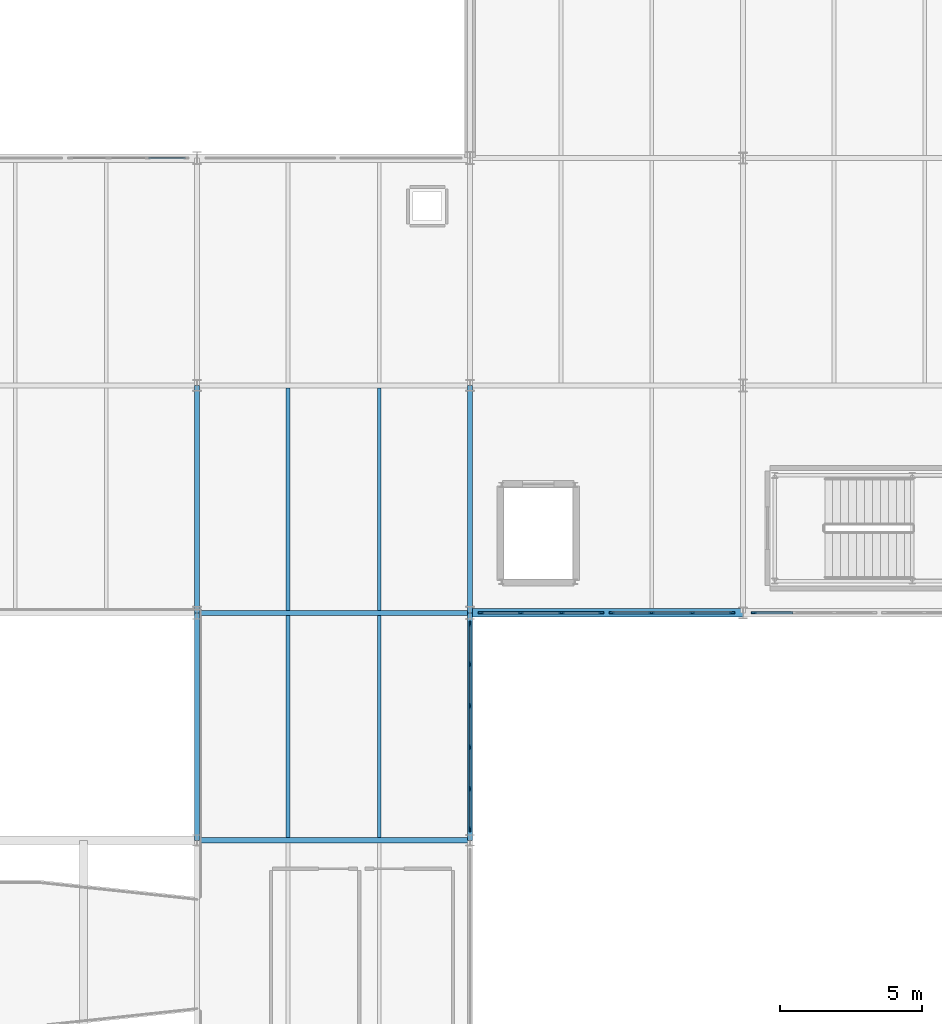
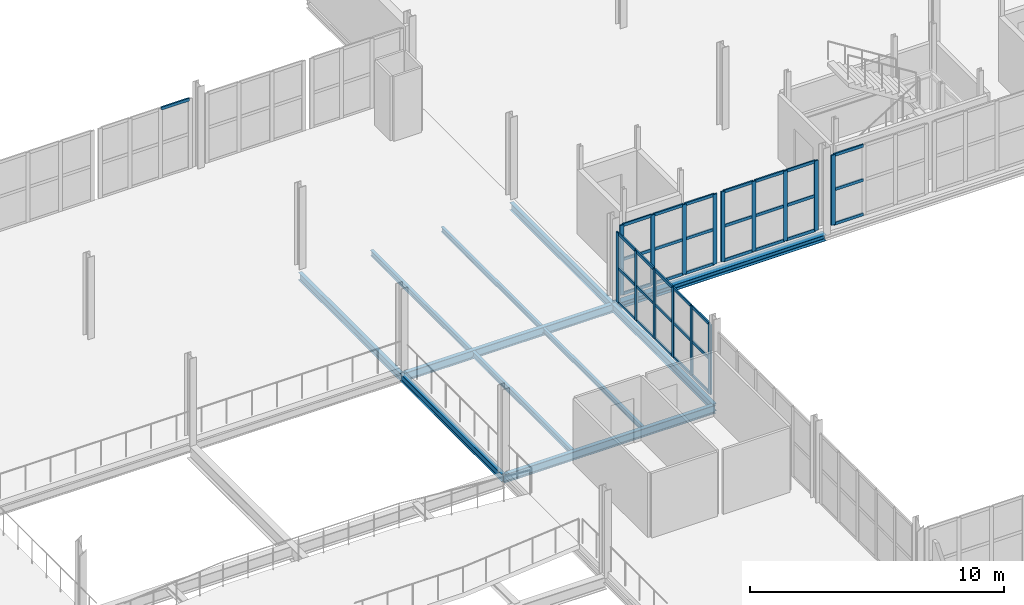
# One storey, part 50 of 85: 52 members, 11 beams, 5 elements without a shape of their own.
"""IFC4 building model written with IfcOpenShell, lengths in metres."""

from ifc_helpers import new_model, si_unit, direction, frame, origin, origin_2d, place, context, subcontext, project, spatial, rectangle, i_section, extrude, material, layer, layer_set, material_profile, profile_set, type_object, element, aggregate, save


model = new_model("IFC4")

# Units and contexts
model_context = context("Model", 3, precision=1e-05, world=origin(), true_north=direction((0.0, 1.0)))
body_context = subcontext(model_context, "Body", "Model", "MODEL_VIEW")
ifc_project = project(units=[si_unit("LENGTHUNIT", "METRE"), si_unit("AREAUNIT", "SQUARE_METRE"), si_unit("VOLUMEUNIT", "CUBIC_METRE"), si_unit("PLANEANGLEUNIT", "RADIAN"), si_unit("MASSUNIT", "GRAM", prefix="KILO")], contexts=[model_context])

# Site, building, storey
site_placement = place(None, origin())
site = spatial("IfcSite", under=ifc_project, at=site_placement, CompositionType="ELEMENT")
building_placement = place(site_placement, origin())
building = spatial("IfcBuilding", under=site, at=building_placement, Name="Alderhovde Museum", CompositionType="ELEMENT")
storey_placement = place(building_placement, frame((0.0, 0.0, 8.699951171875)))
storey = spatial("IfcBuildingStorey", under=building, at=storey_placement, Name="L02", CompositionType="ELEMENT", Elevation=8.699951171875)

# Beams
ifc_material_1 = material(Name="Steel S355J2", Category="steel")
ifc_material_profile_1 = material_profile(ifc_material_1, i_section(OverallWidth=0.169921875, OverallDepth=0.360107421875, WebThickness=0.008056640625, FlangeThickness=0.0126953125, FilletRadius=0.01806640625, at=origin_2d()), Name="IPE 360")
ifc_profile_set_1 = profile_set([ifc_material_profile_1], Name="Steel S355J2")
beam_type_1 = type_object("IfcBeamType", Name="BM-IPE360", PredefinedType="BEAM", material=ifc_profile_set_1)
for number, where, z_axis, x_axis, name in (
    (1, (105.60009765625, 64.0, -0.43994140625), (0.0, 1.0, 0.0), (-1.0, 0.0, 0.0), "L02 Grid Beam X=105.6 (64.0 TO 72.0)"),
    (2, (105.60009765625, 72.0, -0.43994140625), (0.0, 1.0, 0.0), (-1.0, 0.0, 0.0), "L02 Grid Beam X=105.6 (72.0 TO 80.0)"),
    (3, (115.199951171875, 64.0, -0.43994140625), (0.0, 1.0, 0.0), (-1.0, 0.0, 0.0), "L02 Grid Beam X=115.2 (64.0 TO 72.0)"),
    (4, (115.199951171875, 72.0, -0.43994140625), (0.0, 1.0, 0.0), (-1.0, 0.0, 0.0), "L02 Grid Beam X=115.2 (72.0 TO 80.0)"),
):
    element("IfcBeam", number, at=place(storey_placement, frame(where, z_axis=z_axis, x_axis=x_axis)), inside=storey, type_object=beam_type_1, Name=name, PredefinedType="BEAM", context=body_context, shape_type="SweptSolid", body=[
        extrude(i_section(OverallWidth=0.169921875, OverallDepth=0.360107421875, WebThickness=0.008056640625, FlangeThickness=0.0126953125, FilletRadius=0.01806640625, at=origin_2d()), origin(), (0.0, 0.0, 1.0), 8.0),
    ])
ifc_material_2 = material(Name="Steel S355J2", Category="steel")
ifc_material_profile_2 = material_profile(ifc_material_2, i_section(OverallWidth=0.179931640625, OverallDepth=0.39990234375, WebThickness=0.008544921875, FlangeThickness=0.013427734375, FilletRadius=0.02099609375, at=origin_2d()), Name="IPE 400")
ifc_profile_set_2 = profile_set([ifc_material_profile_2], Name="Steel S355J2")
beam_type_2 = type_object("IfcBeamType", Name="BM-IPE400", PredefinedType="BEAM", material=ifc_profile_set_2)
for number, where, z_axis, x_axis, name in (
    (5, (105.60009765625, 64.0, -0.4599609375), (1.0, 0.0, 0.0), (0.0, 1.0, 0.0), "L02 Grid Beam Y=64.0 (105.6 TO 115.2)"),
    (6, (105.60009765625, 72.0, -0.4599609375), (1.0, 0.0, 0.0), (0.0, 1.0, 0.0), "L02 Grid Beam Y=72.0 (105.6 TO 115.2)"),
):
    element("IfcBeam", number, at=place(storey_placement, frame(where, z_axis=z_axis, x_axis=x_axis)), inside=storey, type_object=beam_type_2, Name=name, PredefinedType="BEAM", context=body_context, shape_type="SweptSolid", body=[
        extrude(i_section(OverallWidth=0.179931640625, OverallDepth=0.39990234375, WebThickness=0.008544921875, FlangeThickness=0.013427734375, FilletRadius=0.02099609375, at=origin_2d()), origin(), (0.0, 0.0, 1.0), 9.599853515625),
    ])

# Curtain wall, members
ifc_material_3 = material(Name="Triple-Glazed Bronze-Anodised Curtain Wall", Category="glass")
ifc_layer_1 = layer(ifc_material_3, 0.179931640625)
ifc_layer_set_1 = layer_set([ifc_layer_1], Name="Triple-Glazed Bronze-Anodised Curtain Wall")
curtain_wall_type_1 = type_object("IfcCurtainWallType", Name="CW-UNIT-730x336", PredefinedType="USERDEFINED", material=ifc_layer_set_1)
curtain_wall_1_placement = place(storey_placement, origin())
curtain_wall_1 = element("IfcCurtainWall", 7, at=curtain_wall_1_placement, inside=storey, type_object=curtain_wall_type_1, Name="L02 Unitised Curtain Wall 47", ObjectType="UNITISED CURTAIN WALL", PredefinedType="USERDEFINED")
ifc_material_4 = material(Name="Bronze-Anodised Aluminium EN AW-6063-T6", Category="aluminium")
ifc_material_profile_3 = material_profile(ifc_material_4, rectangle(XDim=0.06494140625, YDim=0.179931640625, at=origin_2d()), Name="MULLION 65x180")
ifc_profile_set_3 = profile_set([ifc_material_profile_3], Name="Bronze-Anodised Aluminium EN AW-6063-T6")
member_type_1 = type_object("IfcMemberType", Name="CWM-65x180", PredefinedType="MULLION", material=ifc_profile_set_3)
member_1_placement = place(storey_placement, frame((115.199951171875, 64.382568359375, 0.0), z_axis=(0.0, 0.0, 1.0), x_axis=(-1.0, 0.0, 0.0)))
member_1 = element("IfcMember", 8, at=member_1_placement, type_object=member_type_1, Name="CW14 mullion 1", PredefinedType="MULLION", context=body_context, shape_type="SweptSolid", body=[
    extrude(rectangle(XDim=0.06494140625, YDim=0.179931640625, at=origin_2d()), origin(), (0.0, 0.0, 1.0), 3.360107421875),
])
member_2_placement = place(storey_placement, frame((115.199951171875, 65.81005859375, 0.0), z_axis=(0.0, 0.0, 1.0), x_axis=(-1.0, 0.0, 0.0)))
member_2 = element("IfcMember", 9, at=member_2_placement, type_object=member_type_1, Name="CW14 mullion 2", PredefinedType="MULLION", context=body_context, shape_type="SweptSolid", body=[
    extrude(rectangle(XDim=0.06494140625, YDim=0.179931640625, at=origin_2d()), origin(), (0.0, 0.0, 1.0), 3.360107421875),
])
member_3_placement = place(storey_placement, frame((115.199951171875, 67.27001953125, 0.0), z_axis=(0.0, 0.0, 1.0), x_axis=(-1.0, 0.0, 0.0)))
member_3 = element("IfcMember", 10, at=member_3_placement, type_object=member_type_1, Name="CW14 mullion 3", PredefinedType="MULLION", context=body_context, shape_type="SweptSolid", body=[
    extrude(rectangle(XDim=0.06494140625, YDim=0.179931640625, at=origin_2d()), origin(), (0.0, 0.0, 1.0), 3.360107421875),
])
member_4_placement = place(storey_placement, frame((115.199951171875, 68.72998046875, 0.0), z_axis=(0.0, 0.0, 1.0), x_axis=(-1.0, 0.0, 0.0)))
member_4 = element("IfcMember", 11, at=member_4_placement, type_object=member_type_1, Name="CW14 mullion 4", PredefinedType="MULLION", context=body_context, shape_type="SweptSolid", body=[
    extrude(rectangle(XDim=0.06494140625, YDim=0.179931640625, at=origin_2d()), origin(), (0.0, 0.0, 1.0), 3.360107421875),
])
member_5_placement = place(storey_placement, frame((115.199951171875, 70.18994140625, 0.0), z_axis=(0.0, 0.0, 1.0), x_axis=(-1.0, 0.0, 0.0)))
member_5 = element("IfcMember", 12, at=member_5_placement, type_object=member_type_1, Name="CW14 mullion 5", PredefinedType="MULLION", context=body_context, shape_type="SweptSolid", body=[
    extrude(rectangle(XDim=0.06494140625, YDim=0.179931640625, at=origin_2d()), origin(), (0.0, 0.0, 1.0), 3.360107421875),
])
member_6_placement = place(storey_placement, frame((115.199951171875, 71.617431640625, 0.0), z_axis=(0.0, 0.0, 1.0), x_axis=(-1.0, 0.0, 0.0)))
member_6 = element("IfcMember", 13, at=member_6_placement, type_object=member_type_1, Name="CW14 mullion 6", PredefinedType="MULLION", context=body_context, shape_type="SweptSolid", body=[
    extrude(rectangle(XDim=0.06494140625, YDim=0.179931640625, at=origin_2d()), origin(), (0.0, 0.0, 1.0), 3.360107421875),
])

ifc_material_5 = material(Name="Triple-Glazed Bronze-Anodised Curtain Wall", Category="glass")
ifc_layer_2 = layer(ifc_material_5, 0.179931640625)
ifc_layer_set_2 = layer_set([ifc_layer_2], Name="Triple-Glazed Bronze-Anodised Curtain Wall")
curtain_wall_type_2 = type_object("IfcCurtainWallType", Name="CW-STIC-430x336", PredefinedType="USERDEFINED", material=ifc_layer_set_2)
curtain_wall_2_placement = place(storey_placement, origin())
curtain_wall_2 = element("IfcCurtainWall", 14, at=curtain_wall_2_placement, inside=storey, type_object=curtain_wall_type_2, Name="L02 Stick Curtain Wall 155", ObjectType="STICK CURTAIN WALL", PredefinedType="USERDEFINED")
member_7_placement = place(storey_placement, frame((115.58251953125, 72.0, 0.0), z_axis=(0.0, 0.0, 1.0), x_axis=(0.0, 1.0, 0.0)))
member_7 = element("IfcMember", 15, at=member_7_placement, type_object=member_type_1, Name="CW37 mullion 1", PredefinedType="MULLION", context=body_context, shape_type="SweptSolid", body=[
    extrude(rectangle(XDim=0.06494140625, YDim=0.179931640625, at=origin_2d()), origin(), (0.0, 0.0, 1.0), 3.360107421875),
])
member_8_placement = place(storey_placement, frame((116.9833984375, 72.0, 0.0), z_axis=(0.0, 0.0, 1.0), x_axis=(0.0, 1.0, 0.0)))
member_8 = element("IfcMember", 16, at=member_8_placement, type_object=member_type_1, Name="CW37 mullion 2", PredefinedType="MULLION", context=body_context, shape_type="SweptSolid", body=[
    extrude(rectangle(XDim=0.06494140625, YDim=0.179931640625, at=origin_2d()), origin(), (0.0, 0.0, 1.0), 3.360107421875),
])
member_9_placement = place(storey_placement, frame((118.416748046875, 72.0, 0.0), z_axis=(0.0, 0.0, 1.0), x_axis=(0.0, 1.0, 0.0)))
member_9 = element("IfcMember", 17, at=member_9_placement, type_object=member_type_1, Name="CW37 mullion 3", PredefinedType="MULLION", context=body_context, shape_type="SweptSolid", body=[
    extrude(rectangle(XDim=0.06494140625, YDim=0.179931640625, at=origin_2d()), origin(), (0.0, 0.0, 1.0), 3.360107421875),
])
member_10_placement = place(storey_placement, frame((119.8173828125, 72.0, 0.0), z_axis=(0.0, 0.0, 1.0), x_axis=(0.0, 1.0, 0.0)))
member_10 = element("IfcMember", 18, at=member_10_placement, type_object=member_type_1, Name="CW37 mullion 4", PredefinedType="MULLION", context=body_context, shape_type="SweptSolid", body=[
    extrude(rectangle(XDim=0.06494140625, YDim=0.179931640625, at=origin_2d()), origin(), (0.0, 0.0, 1.0), 3.360107421875),
])

curtain_wall_3_placement = place(storey_placement, origin())
curtain_wall_3 = element("IfcCurtainWall", 19, at=curtain_wall_3_placement, inside=storey, type_object=curtain_wall_type_2, Name="L02 Stick Curtain Wall 156", ObjectType="STICK CURTAIN WALL", PredefinedType="USERDEFINED")
member_11_placement = place(storey_placement, frame((120.1826171875, 72.0, 0.0), z_axis=(0.0, 0.0, 1.0), x_axis=(0.0, 1.0, 0.0)))
member_11 = element("IfcMember", 20, at=member_11_placement, type_object=member_type_1, Name="CW37 mullion 1", PredefinedType="MULLION", context=body_context, shape_type="SweptSolid", body=[
    extrude(rectangle(XDim=0.06494140625, YDim=0.179931640625, at=origin_2d()), origin(), (0.0, 0.0, 1.0), 3.360107421875),
])
member_12_placement = place(storey_placement, frame((121.583251953125, 72.0, 0.0), z_axis=(0.0, 0.0, 1.0), x_axis=(0.0, 1.0, 0.0)))
member_12 = element("IfcMember", 21, at=member_12_placement, type_object=member_type_1, Name="CW37 mullion 2", PredefinedType="MULLION", context=body_context, shape_type="SweptSolid", body=[
    extrude(rectangle(XDim=0.06494140625, YDim=0.179931640625, at=origin_2d()), origin(), (0.0, 0.0, 1.0), 3.360107421875),
])
member_13_placement = place(storey_placement, frame((123.0166015625, 72.0, 0.0), z_axis=(0.0, 0.0, 1.0), x_axis=(0.0, 1.0, 0.0)))
member_13 = element("IfcMember", 22, at=member_13_placement, type_object=member_type_1, Name="CW37 mullion 3", PredefinedType="MULLION", context=body_context, shape_type="SweptSolid", body=[
    extrude(rectangle(XDim=0.06494140625, YDim=0.179931640625, at=origin_2d()), origin(), (0.0, 0.0, 1.0), 3.360107421875),
])
member_14_placement = place(storey_placement, frame((124.41748046875, 72.0, 0.0), z_axis=(0.0, 0.0, 1.0), x_axis=(0.0, 1.0, 0.0)))
member_14 = element("IfcMember", 23, at=member_14_placement, type_object=member_type_1, Name="CW37 mullion 4", PredefinedType="MULLION", context=body_context, shape_type="SweptSolid", body=[
    extrude(rectangle(XDim=0.06494140625, YDim=0.179931640625, at=origin_2d()), origin(), (0.0, 0.0, 1.0), 3.360107421875),
])

# Curtain wall, member
curtain_wall_4_placement = place(storey_placement, origin())
curtain_wall_4 = element("IfcCurtainWall", 24, at=curtain_wall_4_placement, inside=storey, type_object=curtain_wall_type_2, Name="L02 Stick Curtain Wall 158", ObjectType="STICK CURTAIN WALL", PredefinedType="USERDEFINED")
member_15_placement = place(storey_placement, frame((125.1826171875, 72.0, 0.0), z_axis=(0.0, 0.0, 1.0), x_axis=(0.0, 1.0, 0.0)))
member_15 = element("IfcMember", 25, at=member_15_placement, type_object=member_type_1, Name="CW37 mullion 1", PredefinedType="MULLION", context=body_context, shape_type="SweptSolid", body=[
    extrude(rectangle(XDim=0.06494140625, YDim=0.179931640625, at=origin_2d()), origin(), (0.0, 0.0, 1.0), 3.360107421875),
])

ifc_material_6 = material(Name="Triple-Glazed Bronze-Anodised Curtain Wall", Category="glass")
ifc_layer_3 = layer(ifc_material_6, 0.179931640625)
ifc_layer_set_3 = layer_set([ifc_layer_3], Name="Triple-Glazed Bronze-Anodised Curtain Wall")
curtain_wall_type_3 = type_object("IfcCurtainWallType", Name="CW-UNIT-415x336", PredefinedType="USERDEFINED", material=ifc_layer_set_3)
curtain_wall_5_placement = place(storey_placement, origin())
curtain_wall_5 = element("IfcCurtainWall", 26, at=curtain_wall_5_placement, inside=storey, type_object=curtain_wall_type_3, Name="L02 Unitised Curtain Wall 32", ObjectType="UNITISED CURTAIN WALL", PredefinedType="USERDEFINED")
ifc_material_7 = material(Name="Bronze-Anodised Aluminium EN AW-6063-T6", Category="aluminium")
ifc_material_profile_4 = material_profile(ifc_material_7, rectangle(XDim=0.06494140625, YDim=0.139892578125, at=origin_2d()), Name="TRANSOM 65x140")
ifc_profile_set_4 = profile_set([ifc_material_profile_4], Name="Bronze-Anodised Aluminium EN AW-6063-T6")
member_type_2 = type_object("IfcMemberType", Name="CWT-65x140", PredefinedType="USERDEFINED", material=ifc_profile_set_4)
member_16_placement = place(storey_placement, frame((103.899169921875, 88.0, 3.32763671875), z_axis=(1.0, 0.0, 0.0), x_axis=(0.0, 1.0, 0.0)))
member_16 = element("IfcMember", 27, at=member_16_placement, type_object=member_type_2, Name="CW11 transom 3.3", ObjectType="TRANSOM", PredefinedType="USERDEFINED", context=body_context, shape_type="SweptSolid", body=[
    extrude(rectangle(XDim=0.06494140625, YDim=0.139892578125, at=origin_2d()), origin(), (0.0, 0.0, 1.0), 1.285888671875),
])
aggregate(curtain_wall_5, [member_16])

# Member
member_17_placement = place(storey_placement, frame((115.199951171875, 64.4150390625, 0.032470703125), z_axis=(0.0, 1.0, 0.0), x_axis=(-1.0, 0.0, 0.0)))
member_17 = element("IfcMember", 28, at=member_17_placement, type_object=member_type_2, Name="CW14 transom 1.1", ObjectType="TRANSOM", PredefinedType="USERDEFINED", context=body_context, shape_type="SweptSolid", body=[
    extrude(rectangle(XDim=0.06494140625, YDim=0.139892578125, at=origin_2d()), origin(), (0.0, 0.0, 1.0), 1.362548828125),
])

member_18_placement = place(storey_placement, frame((115.199951171875, 64.4150390625, 1.679931640625), z_axis=(0.0, 1.0, 0.0), x_axis=(-1.0, 0.0, 0.0)))
member_18 = element("IfcMember", 29, at=member_18_placement, type_object=member_type_2, Name="CW14 transom 1.2", ObjectType="TRANSOM", PredefinedType="USERDEFINED", context=body_context, shape_type="SweptSolid", body=[
    extrude(rectangle(XDim=0.06494140625, YDim=0.139892578125, at=origin_2d()), origin(), (0.0, 0.0, 1.0), 1.362548828125),
])

member_19_placement = place(storey_placement, frame((115.199951171875, 64.4150390625, 3.32763671875), z_axis=(0.0, 1.0, 0.0), x_axis=(-1.0, 0.0, 0.0)))
member_19 = element("IfcMember", 30, at=member_19_placement, type_object=member_type_2, Name="CW14 transom 1.3", ObjectType="TRANSOM", PredefinedType="USERDEFINED", context=body_context, shape_type="SweptSolid", body=[
    extrude(rectangle(XDim=0.06494140625, YDim=0.139892578125, at=origin_2d()), origin(), (0.0, 0.0, 1.0), 1.362548828125),
])

member_20_placement = place(storey_placement, frame((115.199951171875, 65.842529296875, 0.032470703125), z_axis=(0.0, 1.0, 0.0), x_axis=(-1.0, 0.0, 0.0)))
member_20 = element("IfcMember", 31, at=member_20_placement, type_object=member_type_2, Name="CW14 transom 2.1", ObjectType="TRANSOM", PredefinedType="USERDEFINED", context=body_context, shape_type="SweptSolid", body=[
    extrude(rectangle(XDim=0.06494140625, YDim=0.139892578125, at=origin_2d()), origin(), (0.0, 0.0, 1.0), 1.39501953125),
])

member_21_placement = place(storey_placement, frame((115.199951171875, 65.842529296875, 1.679931640625), z_axis=(0.0, 1.0, 0.0), x_axis=(-1.0, 0.0, 0.0)))
member_21 = element("IfcMember", 32, at=member_21_placement, type_object=member_type_2, Name="CW14 transom 2.2", ObjectType="TRANSOM", PredefinedType="USERDEFINED", context=body_context, shape_type="SweptSolid", body=[
    extrude(rectangle(XDim=0.06494140625, YDim=0.139892578125, at=origin_2d()), origin(), (0.0, 0.0, 1.0), 1.39501953125),
])

member_22_placement = place(storey_placement, frame((115.199951171875, 65.842529296875, 3.32763671875), z_axis=(0.0, 1.0, 0.0), x_axis=(-1.0, 0.0, 0.0)))
member_22 = element("IfcMember", 33, at=member_22_placement, type_object=member_type_2, Name="CW14 transom 2.3", ObjectType="TRANSOM", PredefinedType="USERDEFINED", context=body_context, shape_type="SweptSolid", body=[
    extrude(rectangle(XDim=0.06494140625, YDim=0.139892578125, at=origin_2d()), origin(), (0.0, 0.0, 1.0), 1.39501953125),
])

member_23_placement = place(storey_placement, frame((115.199951171875, 67.302490234375, 0.032470703125), z_axis=(0.0, 1.0, 0.0), x_axis=(-1.0, 0.0, 0.0)))
member_23 = element("IfcMember", 34, at=member_23_placement, type_object=member_type_2, Name="CW14 transom 3.1", ObjectType="TRANSOM", PredefinedType="USERDEFINED", context=body_context, shape_type="SweptSolid", body=[
    extrude(rectangle(XDim=0.06494140625, YDim=0.139892578125, at=origin_2d()), origin(), (0.0, 0.0, 1.0), 1.39501953125),
])

member_24_placement = place(storey_placement, frame((115.199951171875, 67.302490234375, 1.679931640625), z_axis=(0.0, 1.0, 0.0), x_axis=(-1.0, 0.0, 0.0)))
member_24 = element("IfcMember", 35, at=member_24_placement, type_object=member_type_2, Name="CW14 transom 3.2", ObjectType="TRANSOM", PredefinedType="USERDEFINED", context=body_context, shape_type="SweptSolid", body=[
    extrude(rectangle(XDim=0.06494140625, YDim=0.139892578125, at=origin_2d()), origin(), (0.0, 0.0, 1.0), 1.39501953125),
])

member_25_placement = place(storey_placement, frame((115.199951171875, 67.302490234375, 3.32763671875), z_axis=(0.0, 1.0, 0.0), x_axis=(-1.0, 0.0, 0.0)))
member_25 = element("IfcMember", 36, at=member_25_placement, type_object=member_type_2, Name="CW14 transom 3.3", ObjectType="TRANSOM", PredefinedType="USERDEFINED", context=body_context, shape_type="SweptSolid", body=[
    extrude(rectangle(XDim=0.06494140625, YDim=0.139892578125, at=origin_2d()), origin(), (0.0, 0.0, 1.0), 1.39501953125),
])

member_26_placement = place(storey_placement, frame((115.199951171875, 68.762451171875, 0.032470703125), z_axis=(0.0, 1.0, 0.0), x_axis=(-1.0, 0.0, 0.0)))
member_26 = element("IfcMember", 37, at=member_26_placement, type_object=member_type_2, Name="CW14 transom 4.1", ObjectType="TRANSOM", PredefinedType="USERDEFINED", context=body_context, shape_type="SweptSolid", body=[
    extrude(rectangle(XDim=0.06494140625, YDim=0.139892578125, at=origin_2d()), origin(), (0.0, 0.0, 1.0), 1.39501953125),
])

member_27_placement = place(storey_placement, frame((115.199951171875, 68.762451171875, 1.679931640625), z_axis=(0.0, 1.0, 0.0), x_axis=(-1.0, 0.0, 0.0)))
member_27 = element("IfcMember", 38, at=member_27_placement, type_object=member_type_2, Name="CW14 transom 4.2", ObjectType="TRANSOM", PredefinedType="USERDEFINED", context=body_context, shape_type="SweptSolid", body=[
    extrude(rectangle(XDim=0.06494140625, YDim=0.139892578125, at=origin_2d()), origin(), (0.0, 0.0, 1.0), 1.39501953125),
])

member_28_placement = place(storey_placement, frame((115.199951171875, 68.762451171875, 3.32763671875), z_axis=(0.0, 1.0, 0.0), x_axis=(-1.0, 0.0, 0.0)))
member_28 = element("IfcMember", 39, at=member_28_placement, type_object=member_type_2, Name="CW14 transom 4.3", ObjectType="TRANSOM", PredefinedType="USERDEFINED", context=body_context, shape_type="SweptSolid", body=[
    extrude(rectangle(XDim=0.06494140625, YDim=0.139892578125, at=origin_2d()), origin(), (0.0, 0.0, 1.0), 1.39501953125),
])

member_29_placement = place(storey_placement, frame((115.199951171875, 70.222412109375, 0.032470703125), z_axis=(0.0, 1.0, 0.0), x_axis=(-1.0, 0.0, 0.0)))
member_29 = element("IfcMember", 40, at=member_29_placement, type_object=member_type_2, Name="CW14 transom 5.1", ObjectType="TRANSOM", PredefinedType="USERDEFINED", context=body_context, shape_type="SweptSolid", body=[
    extrude(rectangle(XDim=0.06494140625, YDim=0.139892578125, at=origin_2d()), origin(), (0.0, 0.0, 1.0), 1.362548828125),
])

member_30_placement = place(storey_placement, frame((115.199951171875, 70.222412109375, 1.679931640625), z_axis=(0.0, 1.0, 0.0), x_axis=(-1.0, 0.0, 0.0)))
member_30 = element("IfcMember", 41, at=member_30_placement, type_object=member_type_2, Name="CW14 transom 5.2", ObjectType="TRANSOM", PredefinedType="USERDEFINED", context=body_context, shape_type="SweptSolid", body=[
    extrude(rectangle(XDim=0.06494140625, YDim=0.139892578125, at=origin_2d()), origin(), (0.0, 0.0, 1.0), 1.362548828125),
])

member_31_placement = place(storey_placement, frame((115.199951171875, 70.222412109375, 3.32763671875), z_axis=(0.0, 1.0, 0.0), x_axis=(-1.0, 0.0, 0.0)))
member_31 = element("IfcMember", 42, at=member_31_placement, type_object=member_type_2, Name="CW14 transom 5.3", ObjectType="TRANSOM", PredefinedType="USERDEFINED", context=body_context, shape_type="SweptSolid", body=[
    extrude(rectangle(XDim=0.06494140625, YDim=0.139892578125, at=origin_2d()), origin(), (0.0, 0.0, 1.0), 1.362548828125),
])

aggregate(curtain_wall_1, [member_1, member_2, member_3, member_4, member_5, member_6, member_17, member_18, member_19, member_20, member_21, member_22, member_23, member_24, member_25, member_26, member_27, member_28, member_29, member_30, member_31])

member_32_placement = place(storey_placement, frame((115.614990234375, 72.0, 0.032470703125), z_axis=(1.0, 0.0, 0.0), x_axis=(0.0, 1.0, 0.0)))
member_32 = element("IfcMember", 43, at=member_32_placement, type_object=member_type_2, Name="CW37 transom 1.1", ObjectType="TRANSOM", PredefinedType="USERDEFINED", context=body_context, shape_type="SweptSolid", body=[
    extrude(rectangle(XDim=0.06494140625, YDim=0.139892578125, at=origin_2d()), origin(), (0.0, 0.0, 1.0), 1.3359375),
])

member_33_placement = place(storey_placement, frame((115.614990234375, 72.0, 1.679931640625), z_axis=(1.0, 0.0, 0.0), x_axis=(0.0, 1.0, 0.0)))
member_33 = element("IfcMember", 44, at=member_33_placement, type_object=member_type_2, Name="CW37 transom 1.2", ObjectType="TRANSOM", PredefinedType="USERDEFINED", context=body_context, shape_type="SweptSolid", body=[
    extrude(rectangle(XDim=0.06494140625, YDim=0.139892578125, at=origin_2d()), origin(), (0.0, 0.0, 1.0), 1.3359375),
])

member_34_placement = place(storey_placement, frame((115.614990234375, 72.0, 3.32763671875), z_axis=(1.0, 0.0, 0.0), x_axis=(0.0, 1.0, 0.0)))
member_34 = element("IfcMember", 45, at=member_34_placement, type_object=member_type_2, Name="CW37 transom 1.3", ObjectType="TRANSOM", PredefinedType="USERDEFINED", context=body_context, shape_type="SweptSolid", body=[
    extrude(rectangle(XDim=0.06494140625, YDim=0.139892578125, at=origin_2d()), origin(), (0.0, 0.0, 1.0), 1.3359375),
])

member_35_placement = place(storey_placement, frame((117.015869140625, 72.0, 0.032470703125), z_axis=(1.0, 0.0, 0.0), x_axis=(0.0, 1.0, 0.0)))
member_35 = element("IfcMember", 46, at=member_35_placement, type_object=member_type_2, Name="CW37 transom 2.1", ObjectType="TRANSOM", PredefinedType="USERDEFINED", context=body_context, shape_type="SweptSolid", body=[
    extrude(rectangle(XDim=0.06494140625, YDim=0.139892578125, at=origin_2d()), origin(), (0.0, 0.0, 1.0), 1.368408203125),
])

member_36_placement = place(storey_placement, frame((117.015869140625, 72.0, 1.679931640625), z_axis=(1.0, 0.0, 0.0), x_axis=(0.0, 1.0, 0.0)))
member_36 = element("IfcMember", 47, at=member_36_placement, type_object=member_type_2, Name="CW37 transom 2.2", ObjectType="TRANSOM", PredefinedType="USERDEFINED", context=body_context, shape_type="SweptSolid", body=[
    extrude(rectangle(XDim=0.06494140625, YDim=0.139892578125, at=origin_2d()), origin(), (0.0, 0.0, 1.0), 1.368408203125),
])

member_37_placement = place(storey_placement, frame((117.015869140625, 72.0, 3.32763671875), z_axis=(1.0, 0.0, 0.0), x_axis=(0.0, 1.0, 0.0)))
member_37 = element("IfcMember", 48, at=member_37_placement, type_object=member_type_2, Name="CW37 transom 2.3", ObjectType="TRANSOM", PredefinedType="USERDEFINED", context=body_context, shape_type="SweptSolid", body=[
    extrude(rectangle(XDim=0.06494140625, YDim=0.139892578125, at=origin_2d()), origin(), (0.0, 0.0, 1.0), 1.368408203125),
])

member_38_placement = place(storey_placement, frame((118.44921875, 72.0, 0.032470703125), z_axis=(1.0, 0.0, 0.0), x_axis=(0.0, 1.0, 0.0)))
member_38 = element("IfcMember", 49, at=member_38_placement, type_object=member_type_2, Name="CW37 transom 3.1", ObjectType="TRANSOM", PredefinedType="USERDEFINED", context=body_context, shape_type="SweptSolid", body=[
    extrude(rectangle(XDim=0.06494140625, YDim=0.139892578125, at=origin_2d()), origin(), (0.0, 0.0, 1.0), 1.335693359375),
])

member_39_placement = place(storey_placement, frame((118.44921875, 72.0, 1.679931640625), z_axis=(1.0, 0.0, 0.0), x_axis=(0.0, 1.0, 0.0)))
member_39 = element("IfcMember", 50, at=member_39_placement, type_object=member_type_2, Name="CW37 transom 3.2", ObjectType="TRANSOM", PredefinedType="USERDEFINED", context=body_context, shape_type="SweptSolid", body=[
    extrude(rectangle(XDim=0.06494140625, YDim=0.139892578125, at=origin_2d()), origin(), (0.0, 0.0, 1.0), 1.335693359375),
])

member_40_placement = place(storey_placement, frame((118.44921875, 72.0, 3.32763671875), z_axis=(1.0, 0.0, 0.0), x_axis=(0.0, 1.0, 0.0)))
member_40 = element("IfcMember", 51, at=member_40_placement, type_object=member_type_2, Name="CW37 transom 3.3", ObjectType="TRANSOM", PredefinedType="USERDEFINED", context=body_context, shape_type="SweptSolid", body=[
    extrude(rectangle(XDim=0.06494140625, YDim=0.139892578125, at=origin_2d()), origin(), (0.0, 0.0, 1.0), 1.335693359375),
])

aggregate(curtain_wall_2, [member_7, member_8, member_9, member_10, member_32, member_33, member_34, member_35, member_36, member_37, member_38, member_39, member_40])

member_41_placement = place(storey_placement, frame((120.215087890625, 72.0, 0.032470703125), z_axis=(1.0, 0.0, 0.0), x_axis=(0.0, 1.0, 0.0)))
member_41 = element("IfcMember", 52, at=member_41_placement, type_object=member_type_2, Name="CW37 transom 1.1", ObjectType="TRANSOM", PredefinedType="USERDEFINED", context=body_context, shape_type="SweptSolid", body=[
    extrude(rectangle(XDim=0.06494140625, YDim=0.139892578125, at=origin_2d()), origin(), (0.0, 0.0, 1.0), 1.335693359375),
])

member_42_placement = place(storey_placement, frame((120.215087890625, 72.0, 1.679931640625), z_axis=(1.0, 0.0, 0.0), x_axis=(0.0, 1.0, 0.0)))
member_42 = element("IfcMember", 53, at=member_42_placement, type_object=member_type_2, Name="CW37 transom 1.2", ObjectType="TRANSOM", PredefinedType="USERDEFINED", context=body_context, shape_type="SweptSolid", body=[
    extrude(rectangle(XDim=0.06494140625, YDim=0.139892578125, at=origin_2d()), origin(), (0.0, 0.0, 1.0), 1.335693359375),
])

member_43_placement = place(storey_placement, frame((120.215087890625, 72.0, 3.32763671875), z_axis=(1.0, 0.0, 0.0), x_axis=(0.0, 1.0, 0.0)))
member_43 = element("IfcMember", 54, at=member_43_placement, type_object=member_type_2, Name="CW37 transom 1.3", ObjectType="TRANSOM", PredefinedType="USERDEFINED", context=body_context, shape_type="SweptSolid", body=[
    extrude(rectangle(XDim=0.06494140625, YDim=0.139892578125, at=origin_2d()), origin(), (0.0, 0.0, 1.0), 1.335693359375),
])

member_44_placement = place(storey_placement, frame((121.61572265625, 72.0, 0.032470703125), z_axis=(1.0, 0.0, 0.0), x_axis=(0.0, 1.0, 0.0)))
member_44 = element("IfcMember", 55, at=member_44_placement, type_object=member_type_2, Name="CW37 transom 2.1", ObjectType="TRANSOM", PredefinedType="USERDEFINED", context=body_context, shape_type="SweptSolid", body=[
    extrude(rectangle(XDim=0.06494140625, YDim=0.139892578125, at=origin_2d()), origin(), (0.0, 0.0, 1.0), 1.368408203125),
])

member_45_placement = place(storey_placement, frame((121.61572265625, 72.0, 1.679931640625), z_axis=(1.0, 0.0, 0.0), x_axis=(0.0, 1.0, 0.0)))
member_45 = element("IfcMember", 56, at=member_45_placement, type_object=member_type_2, Name="CW37 transom 2.2", ObjectType="TRANSOM", PredefinedType="USERDEFINED", context=body_context, shape_type="SweptSolid", body=[
    extrude(rectangle(XDim=0.06494140625, YDim=0.139892578125, at=origin_2d()), origin(), (0.0, 0.0, 1.0), 1.368408203125),
])

member_46_placement = place(storey_placement, frame((121.61572265625, 72.0, 3.32763671875), z_axis=(1.0, 0.0, 0.0), x_axis=(0.0, 1.0, 0.0)))
member_46 = element("IfcMember", 57, at=member_46_placement, type_object=member_type_2, Name="CW37 transom 2.3", ObjectType="TRANSOM", PredefinedType="USERDEFINED", context=body_context, shape_type="SweptSolid", body=[
    extrude(rectangle(XDim=0.06494140625, YDim=0.139892578125, at=origin_2d()), origin(), (0.0, 0.0, 1.0), 1.368408203125),
])

member_47_placement = place(storey_placement, frame((123.049072265625, 72.0, 0.032470703125), z_axis=(1.0, 0.0, 0.0), x_axis=(0.0, 1.0, 0.0)))
member_47 = element("IfcMember", 58, at=member_47_placement, type_object=member_type_2, Name="CW37 transom 3.1", ObjectType="TRANSOM", PredefinedType="USERDEFINED", context=body_context, shape_type="SweptSolid", body=[
    extrude(rectangle(XDim=0.06494140625, YDim=0.139892578125, at=origin_2d()), origin(), (0.0, 0.0, 1.0), 1.3359375),
])

member_48_placement = place(storey_placement, frame((123.049072265625, 72.0, 1.679931640625), z_axis=(1.0, 0.0, 0.0), x_axis=(0.0, 1.0, 0.0)))
member_48 = element("IfcMember", 59, at=member_48_placement, type_object=member_type_2, Name="CW37 transom 3.2", ObjectType="TRANSOM", PredefinedType="USERDEFINED", context=body_context, shape_type="SweptSolid", body=[
    extrude(rectangle(XDim=0.06494140625, YDim=0.139892578125, at=origin_2d()), origin(), (0.0, 0.0, 1.0), 1.3359375),
])

member_49_placement = place(storey_placement, frame((123.049072265625, 72.0, 3.32763671875), z_axis=(1.0, 0.0, 0.0), x_axis=(0.0, 1.0, 0.0)))
member_49 = element("IfcMember", 60, at=member_49_placement, type_object=member_type_2, Name="CW37 transom 3.3", ObjectType="TRANSOM", PredefinedType="USERDEFINED", context=body_context, shape_type="SweptSolid", body=[
    extrude(rectangle(XDim=0.06494140625, YDim=0.139892578125, at=origin_2d()), origin(), (0.0, 0.0, 1.0), 1.3359375),
])

aggregate(curtain_wall_3, [member_11, member_12, member_13, member_14, member_41, member_42, member_43, member_44, member_45, member_46, member_47, member_48, member_49])

member_50_placement = place(storey_placement, frame((125.215087890625, 72.0, 0.032470703125), z_axis=(1.0, 0.0, 0.0), x_axis=(0.0, 1.0, 0.0)))
member_50 = element("IfcMember", 61, at=member_50_placement, type_object=member_type_2, Name="CW37 transom 1.1", ObjectType="TRANSOM", PredefinedType="USERDEFINED", context=body_context, shape_type="SweptSolid", body=[
    extrude(rectangle(XDim=0.06494140625, YDim=0.139892578125, at=origin_2d()), origin(), (0.0, 0.0, 1.0), 1.335693359375),
])

member_51_placement = place(storey_placement, frame((125.215087890625, 72.0, 1.679931640625), z_axis=(1.0, 0.0, 0.0), x_axis=(0.0, 1.0, 0.0)))
member_51 = element("IfcMember", 62, at=member_51_placement, type_object=member_type_2, Name="CW37 transom 1.2", ObjectType="TRANSOM", PredefinedType="USERDEFINED", context=body_context, shape_type="SweptSolid", body=[
    extrude(rectangle(XDim=0.06494140625, YDim=0.139892578125, at=origin_2d()), origin(), (0.0, 0.0, 1.0), 1.335693359375),
])

member_52_placement = place(storey_placement, frame((125.215087890625, 72.0, 3.32763671875), z_axis=(1.0, 0.0, 0.0), x_axis=(0.0, 1.0, 0.0)))
member_52 = element("IfcMember", 63, at=member_52_placement, type_object=member_type_2, Name="CW37 transom 1.3", ObjectType="TRANSOM", PredefinedType="USERDEFINED", context=body_context, shape_type="SweptSolid", body=[
    extrude(rectangle(XDim=0.06494140625, YDim=0.139892578125, at=origin_2d()), origin(), (0.0, 0.0, 1.0), 1.335693359375),
])

aggregate(curtain_wall_4, [member_15, member_50, member_51, member_52])

# Beams
ifc_material_8 = material(Name="Steel S355J2", Category="steel")
ifc_material_profile_5 = material_profile(ifc_material_8, i_section(OverallWidth=0.1201171875, OverallDepth=0.239990234375, WebThickness=0.006103515625, FlangeThickness=0.009765625, FilletRadius=0.014892578125, at=origin_2d()), Name="IPE 240")
ifc_profile_set_5 = profile_set([ifc_material_profile_5], Name="Steel S355J2")
beam_type_3 = type_object("IfcBeamType", Name="JST-IPE240", PredefinedType="JOIST", material=ifc_profile_set_5)
for number, where, z_axis, x_axis, name in (
    (64, (112.0, 64.090087890625, -0.3798828125), (0.0, 1.0, 0.0), (-1.0, 0.0, 0.0), "L02 Composite Joist X=112.0 (64.0 TO 72.0)"),
    (65, (112.0, 72.090087890625, -0.3798828125), (0.0, 1.0, 0.0), (-1.0, 0.0, 0.0), "L02 Composite Joist X=112.0 (72.0 TO 80.0)"),
):
    element("IfcBeam", number, at=place(storey_placement, frame(where, z_axis=z_axis, x_axis=x_axis)), inside=storey, type_object=beam_type_3, Name=name, PredefinedType="JOIST", context=body_context, shape_type="SweptSolid", body=[
        extrude(i_section(OverallWidth=0.1201171875, OverallDepth=0.239990234375, WebThickness=0.006103515625, FlangeThickness=0.009765625, FilletRadius=0.014892578125, at=origin_2d()), origin(), (0.0, 0.0, 1.0), 7.81982421875),
    ])
ifc_material_9 = material(Name="Steel S355J2", Category="steel")
ifc_material_profile_6 = material_profile(ifc_material_9, i_section(OverallWidth=0.135009765625, OverallDepth=0.27001953125, WebThickness=0.006591796875, FlangeThickness=0.01025390625, FilletRadius=0.014892578125, at=origin_2d()), Name="IPE 270")
ifc_profile_set_6 = profile_set([ifc_material_profile_6], Name="Steel S355J2")
beam_type_4 = type_object("IfcBeamType", Name="JST-IPE270", PredefinedType="JOIST", material=ifc_profile_set_6)
for number, where, z_axis, x_axis, name in (
    (66, (108.800048828125, 64.090087890625, -0.39501953125), (0.0, 1.0, 0.0), (-1.0, 0.0, 0.0), "L02 Composite Joist X=108.8 (64.0 TO 72.0)"),
    (67, (108.800048828125, 72.090087890625, -0.39501953125), (0.0, 1.0, 0.0), (-1.0, 0.0, 0.0), "L02 Composite Joist X=108.8 (72.0 TO 80.0)"),
):
    element("IfcBeam", number, at=place(storey_placement, frame(where, z_axis=z_axis, x_axis=x_axis)), inside=storey, type_object=beam_type_4, Name=name, PredefinedType="JOIST", context=body_context, shape_type="SweptSolid", body=[
        extrude(i_section(OverallWidth=0.135009765625, OverallDepth=0.27001953125, WebThickness=0.006591796875, FlangeThickness=0.01025390625, FilletRadius=0.014892578125, at=origin_2d()), origin(), (0.0, 0.0, 1.0), 7.81982421875),
    ])
ifc_material_10 = material(Name="Steel S355J2", Category="steel")
ifc_material_profile_7 = material_profile(ifc_material_10, i_section(OverallWidth=0.300048828125, OverallDepth=0.2900390625, WebThickness=0.008544921875, FlangeThickness=0.013916015625, FilletRadius=0.027099609375, at=origin_2d()), Name="HEA 300")
ifc_profile_set_7 = profile_set([ifc_material_profile_7], Name="Steel S355J2")
beam_type_5 = type_object("IfcBeamType", Name="SPD-HEA300", PredefinedType="SPANDREL", material=ifc_profile_set_7)
beam_placement = place(storey_placement, frame((115.199951171875, 72.0, -0.405029296875), z_axis=(1.0, 0.0, 0.0), x_axis=(0.0, 1.0, 0.0)))
element("IfcBeam", 68, at=beam_placement, inside=storey, type_object=beam_type_5, Name="L02 Grid Beam Y=72.0 (115.2 TO 124.8)", PredefinedType="SPANDREL", context=body_context, shape_type="SweptSolid", body=[
    extrude(i_section(OverallWidth=0.300048828125, OverallDepth=0.2900390625, WebThickness=0.008544921875, FlangeThickness=0.013916015625, FilletRadius=0.027099609375, at=origin_2d()), origin(), (0.0, 0.0, 1.0), 9.60009765625),
])

save(model, "model.ifc")
